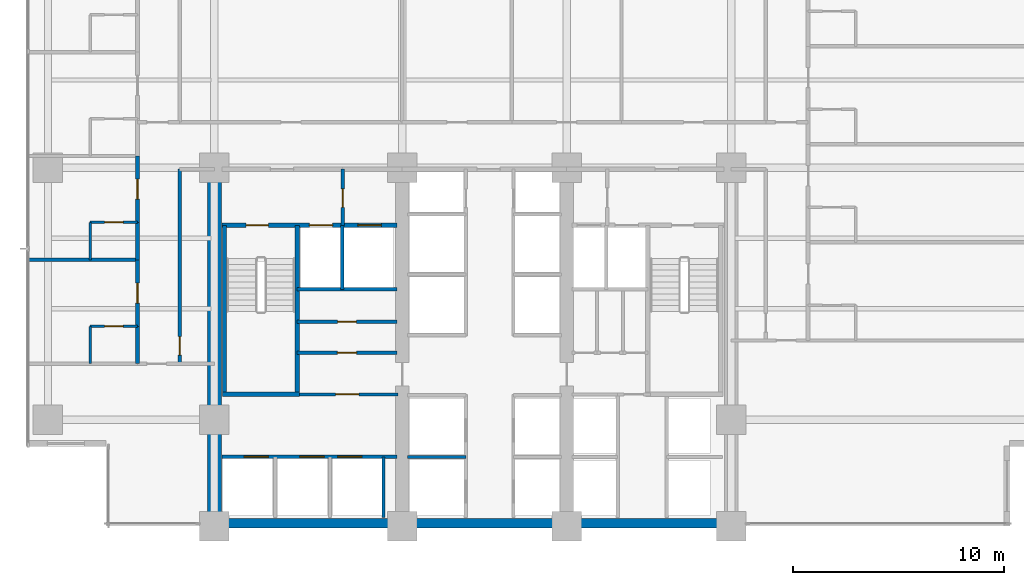
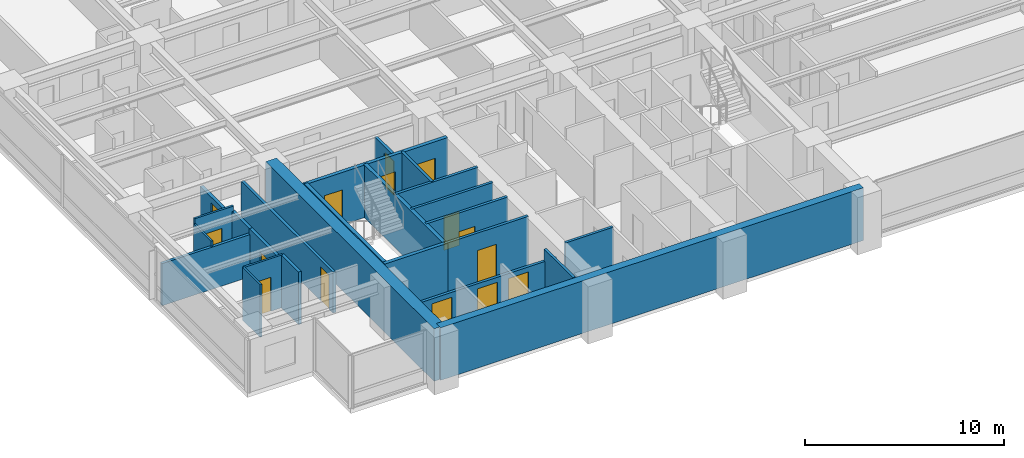
# One storey, part 7 of 18: 25 walls, 15 doors, 15 openings.
"""IFC4 building model written with IfcOpenShell, lengths in metres."""

from ifc_helpers import new_model, si_unit, direction, frame, frame_2d, origin, place, context, subcontext, project, spatial, rectangle, extrude, material, layer, layer_set, type_object, element, fill, save


model = new_model("IFC4")

# Units and contexts
model_context = context("Model", 3, precision=1e-05, world=origin(), true_north=direction((0.0, 1.0)))
body_context = subcontext(model_context, "Body", "Model", "MODEL_VIEW")
ifc_project = project(units=[si_unit("LENGTHUNIT", "METRE"), si_unit("AREAUNIT", "SQUARE_METRE"), si_unit("VOLUMEUNIT", "CUBIC_METRE"), si_unit("PLANEANGLEUNIT", "RADIAN"), si_unit("MASSUNIT", "GRAM", prefix="KILO")], contexts=[model_context])

# Site, building, storey
site_placement = place(None, origin())
site = spatial("IfcSite", under=ifc_project, at=site_placement, CompositionType="ELEMENT")
building_placement = place(site_placement, origin())
building = spatial("IfcBuilding", under=site, at=building_placement, Name="Qalmaran Belvedere Hotel", CompositionType="ELEMENT")
storey_placement = place(building_placement, frame((0.0, 0.0, 54.39990234375)))
storey = spatial("IfcBuildingStorey", under=building, at=storey_placement, Name="L13", CompositionType="ELEMENT", Elevation=54.39990234375)

# Walls
ifc_material_1 = material(Name="Concrete C60/75", Category="concrete")
ifc_layer_1 = layer(ifc_material_1, 0.64990234375, Name="Concrete C60/75")
ifc_layer_set_1 = layer_set([ifc_layer_1], Name="Concrete C60/75")
wall_type_1 = type_object("IfcWallType", Name="WL-CORE-650-C60", PredefinedType="SHEAR", material=ifc_layer_set_1)
wall_1_placement = place(storey_placement, frame((20.300048828125, 3.5, 0.0), z_axis=(0.0, 0.0, 1.0), x_axis=(0.0, 1.0, 0.0)))
element("IfcWall", 1, at=wall_1_placement, inside=storey, type_object=wall_type_1, Name="L13 West Core Shear Wall", PredefinedType="SHEAR", context=body_context, shape_type="SweptSolid", body=[
    extrude(rectangle(XDim=16.89990234375, YDim=0.64990234375, at=frame_2d((8.449951171875, 0.0))), origin(), (0.0, 0.0, 1.0), 3.22021484375),
])
ifc_material_2 = material(Name="Concrete C50/60", Category="concrete")
ifc_layer_2 = layer(ifc_material_2, 0.43994140625, Name="Concrete C50/60")
ifc_layer_set_2 = layer_set([ifc_layer_2], Name="Concrete C50/60")
wall_type_2 = type_object("IfcWallType", Name="WL-CORES-440-EXT", PredefinedType="SHEAR", material=ifc_layer_set_2)
wall_2_placement = place(storey_placement, frame((20.300048828125, 3.6298828125, 0.0), z_axis=(0.0, 0.0, 1.0), x_axis=(1.0, 0.0, 0.0)))
element("IfcWall", 2, at=wall_2_placement, inside=storey, type_object=wall_type_2, Name="L13 South Core Shear Wall", PredefinedType="SHEAR", context=body_context, shape_type="SweptSolid", body=[
    extrude(rectangle(XDim=24.5, YDim=0.43994140625, at=frame_2d((12.25, 0.0))), origin(), (0.0, 0.0, 1.0), 3.22021484375),
])

# Wall, opening, door
ifc_material_3 = material(Name="Moisture-Resistant Gypsum")
ifc_layer_3 = layer(ifc_material_3, 0.1201171875, Name="Moisture-Resistant Gypsum")
ifc_layer_set_3 = layer_set([ifc_layer_3], Name="Moisture-Resistant Gypsum")
wall_type_3 = type_object("IfcWallType", Name="WL-INT-120-BATH", PredefinedType="PARTITIONING", material=ifc_layer_set_3)
wall_3_placement = place(storey_placement, frame((14.39990234375, 12.969970703125, 0.0), z_axis=(0.0, 0.0, 1.0), x_axis=(1.0, 0.0, 0.0)))
wall_3 = element("IfcWall", 3, at=wall_3_placement, inside=storey, type_object=wall_type_3, Name="L13 Partition WL-L13-WBN00", PredefinedType="PARTITIONING", context=body_context, shape_type="SweptSolid", body=[
    extrude(rectangle(XDim=2.25, YDim=0.1201171875, at=frame_2d((1.125, 0.0))), origin(), (0.0, 0.0, 1.0), 3.22021484375),
])
opening_1_placement = place(wall_3_placement, frame((1.56494140625, 0.0, 0.0), z_axis=(0.0, 0.0, 1.0), x_axis=(-1.0, 0.0, 0.0)))
opening_1 = element("IfcOpeningElement", 4, at=opening_1_placement, cuts=wall_3, Name="Opening D-BATH", PredefinedType="OPENING", context=body_context, shape_type="SweptSolid", body=[
    extrude(rectangle(XDim=0.8798828125, YDim=2.080078125, at=frame_2d((0.43994140625, 1.0400390625))), frame((0.0, 0.070068359375, 0.0), z_axis=(0.0, -1.0, 0.0), x_axis=(1.0, 0.0, 0.0)), (0.0, 0.0, 1.0), 0.14013671875),
])
ifc_material_4 = material(Name="Engineered Oak Veneer")
door_type_1 = type_object("IfcDoorType", Name="DR-INT-BATH-880X2080", OperationType="NOTDEFINED", PredefinedType="DOOR", material=ifc_material_4)
door_1_placement = place(opening_1_placement, origin())
door_1 = element("IfcDoor", 5, at=door_1_placement, inside=storey, type_object=door_type_1, Name="L13 W Ensuite Door 01", OperationType="SINGLE_SWING_LEFT", OverallHeight=2.080078125, OverallWidth=0.8798828125, PredefinedType="DOOR", context=body_context, shape_type="SweptSolid", body=[
    extrude(rectangle(XDim=0.8798828125, YDim=2.080078125, at=frame_2d((0.43994140625, 1.0400390625))), frame((0.0, 0.02490234375, 0.0), z_axis=(0.0, -1.0, 0.0), x_axis=(1.0, 0.0, 0.0)), (0.0, 0.0, 1.0), 0.050048828125),
])
fill(opening_1, door_1)

# Wall
wall_4_placement = place(storey_placement, frame((14.39990234375, 11.199951171875, 0.0), z_axis=(0.0, 0.0, 1.0), x_axis=(0.0, 1.0, 0.0)))
element("IfcWall", 6, at=wall_4_placement, inside=storey, type_object=wall_type_3, Name="L13 Partition WL-L13-WBS00", PredefinedType="PARTITIONING", context=body_context, shape_type="SweptSolid", body=[
    extrude(rectangle(XDim=1.77001953125, YDim=0.1201171875, at=frame_2d((0.885009765625, 0.0))), origin(), (0.0, 0.0, 1.0), 3.22021484375),
])

# Wall, opening, door
wall_5_placement = place(storey_placement, frame((14.39990234375, 17.89501953125, 0.0), z_axis=(0.0, 0.0, 1.0), x_axis=(1.0, 0.0, 0.0)))
wall_5 = element("IfcWall", 7, at=wall_5_placement, inside=storey, type_object=wall_type_3, Name="L13 Partition WL-L13-WBN01", PredefinedType="PARTITIONING", context=body_context, shape_type="SweptSolid", body=[
    extrude(rectangle(XDim=2.25, YDim=0.1201171875, at=frame_2d((1.125, 0.0))), origin(), (0.0, 0.0, 1.0), 3.22021484375),
])
opening_2_placement = place(wall_5_placement, frame((1.56494140625, 0.0, 0.0), z_axis=(0.0, 0.0, 1.0), x_axis=(-1.0, 0.0, 0.0)))
opening_2 = element("IfcOpeningElement", 8, at=opening_2_placement, cuts=wall_5, Name="Opening D-BATH", PredefinedType="OPENING", context=body_context, shape_type="SweptSolid", body=[
    extrude(rectangle(XDim=0.8798828125, YDim=2.080078125, at=frame_2d((0.43994140625, 1.0400390625))), frame((0.0, 0.070068359375, 0.0), z_axis=(0.0, -1.0, 0.0), x_axis=(1.0, 0.0, 0.0)), (0.0, 0.0, 1.0), 0.14013671875),
])
door_2_placement = place(opening_2_placement, origin())
door_2 = element("IfcDoor", 9, at=door_2_placement, inside=storey, type_object=door_type_1, Name="L13 W Ensuite Door 02", OperationType="SINGLE_SWING_LEFT", OverallHeight=2.080078125, OverallWidth=0.8798828125, PredefinedType="DOOR", context=body_context, shape_type="SweptSolid", body=[
    extrude(rectangle(XDim=0.8798828125, YDim=2.080078125, at=frame_2d((0.43994140625, 1.0400390625))), frame((0.0, 0.02490234375, 0.0), z_axis=(0.0, -1.0, 0.0), x_axis=(1.0, 0.0, 0.0)), (0.0, 0.0, 1.0), 0.050048828125),
])
fill(opening_2, door_2)

# Walls
wall_6_placement = place(storey_placement, frame((14.39990234375, 16.125, 0.0), z_axis=(0.0, 0.0, 1.0), x_axis=(0.0, 1.0, 0.0)))
element("IfcWall", 10, at=wall_6_placement, inside=storey, type_object=wall_type_3, Name="L13 Partition WL-L13-WBS01", PredefinedType="PARTITIONING", context=body_context, shape_type="SweptSolid", body=[
    extrude(rectangle(XDim=1.77001953125, YDim=0.1201171875, at=frame_2d((0.885009765625, 0.0))), origin(), (0.0, 0.0, 1.0), 2.902099609375),
])
ifc_material_5 = material(Name="Gypsum Stud Partition")
ifc_layer_4 = layer(ifc_material_5, 0.14990234375, Name="Gypsum Stud Partition")
ifc_layer_set_4 = layer_set([ifc_layer_4], Name="Gypsum Stud Partition")
wall_type_4 = type_object("IfcWallType", Name="WL-INT-150-EI120", PredefinedType="PARTITIONING", material=ifc_layer_set_4)
wall_7_placement = place(storey_placement, frame((26.360107421875, 14.719970703125, 0.0), z_axis=(0.0, 0.0, 1.0), x_axis=(0.0, 1.0, 0.0)))
element("IfcWall", 11, at=wall_7_placement, inside=storey, type_object=wall_type_4, Name="L13 Partition WL-FF1M-L13", PredefinedType="PARTITIONING", context=body_context, shape_type="SweptSolid", body=[
    extrude(rectangle(XDim=3.0400390625, YDim=0.14990234375, at=frame_2d((1.52001953125, 0.0))), origin(), (0.0, 0.0, 1.0), 3.22021484375),
])
wall_8_placement = place(storey_placement, frame((28.320068359375, 3.89990234375, 0.0), z_axis=(0.0, 0.0, 1.0), x_axis=(0.0, 1.0, 0.0)))
element("IfcWall", 12, at=wall_8_placement, inside=storey, type_object=wall_type_4, Name="L13 Partition WL-POM3-L13", PredefinedType="PARTITIONING", context=body_context, shape_type="SweptSolid", body=[
    extrude(rectangle(XDim=2.880126953125, YDim=0.14990234375, at=frame_2d((1.43994140625, 0.0))), origin(), (0.0, 0.0, 1.0), 3.22021484375),
])
wall_9_placement = place(storey_placement, frame((29.449951171875, 6.780029296875, 0.0), z_axis=(0.0, 0.0, 1.0), x_axis=(1.0, 0.0, 0.0)))
element("IfcWall", 13, at=wall_9_placement, inside=storey, type_object=wall_type_4, Name="L13 Partition WL-PLW-L13-67", PredefinedType="PARTITIONING", context=body_context, shape_type="SweptSolid", body=[
    extrude(rectangle(XDim=2.77001953125, YDim=0.14990234375, at=frame_2d((1.385009765625, 0.0))), origin(), (0.0, 0.0, 1.0), 3.22021484375),
])

# Wall, opening, door
ifc_layer_5 = layer(ifc_material_5, 0.14990234375, Name="Gypsum Stud Partition")
ifc_layer_set_5 = layer_set([ifc_layer_5], Name="Gypsum Stud Partition")
wall_type_5 = type_object("IfcWallType", Name="WL-INT-150-EI60", PredefinedType="PARTITIONING", material=ifc_layer_set_5)
wall_10_placement = place(storey_placement, frame((24.219970703125, 13.18505859375, 0.0), z_axis=(0.0, 0.0, 1.0), x_axis=(1.0, 0.0, 0.0)))
wall_10 = element("IfcWall", 14, at=wall_10_placement, inside=storey, type_object=wall_type_5, Name="L13 Partition WL-L13-KWHM", PredefinedType="PARTITIONING", context=body_context, shape_type="SweptSolid", body=[
    extrude(rectangle(XDim=4.72998046875, YDim=0.14990234375, at=frame_2d((2.364990234375, 0.0))), origin(), (0.0, 0.0, 1.0), 3.22021484375),
])
opening_3_placement = place(wall_10_placement, frame((1.925048828125, 0.0, 0.0)))
opening_3 = element("IfcOpeningElement", 15, at=opening_3_placement, cuts=wall_10, Name="Opening FD60B", PredefinedType="OPENING", context=body_context, shape_type="SweptSolid", body=[
    extrude(rectangle(XDim=0.8798828125, YDim=2.080078125, at=frame_2d((0.43994140625, 1.0400390625))), frame((0.0, 0.0849609375, 0.0), z_axis=(0.0, -1.0, 0.0), x_axis=(1.0, 0.0, 0.0)), (0.0, 0.0, 1.0), 0.169921875),
])
ifc_material_6 = material(Name="Steel S355JR", Category="steel")
door_type_2 = type_object("IfcDoorType", Name="DR-FD60B-880X2080", OperationType="NOTDEFINED", PredefinedType="DOOR", material=ifc_material_6)
door_3_placement = place(opening_3_placement, origin())
door_3 = element("IfcDoor", 16, at=door_3_placement, inside=storey, type_object=door_type_2, Name="L13 Staff Core WC Door", OperationType="SINGLE_SWING_LEFT", OverallHeight=2.080078125, OverallWidth=0.8798828125, PredefinedType="DOOR", context=body_context, shape_type="SweptSolid", body=[
    extrude(rectangle(XDim=0.8798828125, YDim=2.080078125, at=frame_2d((0.43994140625, 1.0400390625))), frame((0.0, 0.02490234375, 0.0), z_axis=(0.0, -1.0, 0.0), x_axis=(1.0, 0.0, 0.0)), (0.0, 0.0, 1.0), 0.050048828125),
])
fill(opening_3, door_3)

ifc_layer_6 = layer(ifc_material_5, 0.159912109375, Name="Gypsum Stud Partition")
ifc_layer_set_6 = layer_set([ifc_layer_6], Name="Gypsum Stud Partition")
wall_type_6 = type_object("IfcWallType", Name="WL-INT-160-EI120", PredefinedType="PARTITIONING", material=ifc_layer_set_6)
wall_11_placement = place(storey_placement, frame((26.3798828125, 17.760009765625, 0.0), z_axis=(0.0, 0.0, 1.0), x_axis=(0.0, 1.0, 0.0)))
wall_11 = element("IfcWall", 17, at=wall_11_placement, inside=storey, type_object=wall_type_6, Name="L13 Partition WL-FFSV1-L13", PredefinedType="PARTITIONING", context=body_context, shape_type="SweptSolid", body=[
    extrude(rectangle(XDim=2.659912109375, YDim=0.159912109375, at=frame_2d((1.330078125, 0.0))), origin(), (0.0, 0.0, 1.0), 2.510009765625),
])
opening_4_placement = place(wall_11_placement, frame((0.85009765625, 0.0, 0.0)))
opening_4 = element("IfcOpeningElement", 18, at=opening_4_placement, cuts=wall_11, Name="Opening FD60B", PredefinedType="OPENING", context=body_context, shape_type="SweptSolid", body=[
    extrude(rectangle(XDim=0.8798828125, YDim=2.080078125, at=frame_2d((0.43994140625, 1.0400390625))), frame((0.0, 0.08984375, 0.0), z_axis=(0.0, -1.0, 0.0), x_axis=(1.0, 0.0, 0.0)), (0.0, 0.0, 1.0), 0.179931640625),
])
door_4_placement = place(opening_4_placement, origin())
door_4 = element("IfcDoor", 19, at=door_4_placement, inside=storey, type_object=door_type_2, Name="L13 Service Lobby West Door", OperationType="SINGLE_SWING_LEFT", OverallHeight=2.080078125, OverallWidth=0.8798828125, PredefinedType="DOOR", context=body_context, shape_type="SweptSolid", body=[
    extrude(rectangle(XDim=0.8798828125, YDim=2.080078125, at=frame_2d((0.43994140625, 1.0400390625))), frame((0.0, 0.02490234375, 0.0), z_axis=(0.0, -1.0, 0.0), x_axis=(1.0, 0.0, 0.0)), (0.0, 0.0, 1.0), 0.050048828125),
])
fill(opening_4, door_4)

# Wall
wall_12_placement = place(storey_placement, frame((24.219970703125, 14.719970703125, 0.0), z_axis=(0.0, 0.0, 1.0), x_axis=(1.0, 0.0, 0.0)))
element("IfcWall", 20, at=wall_12_placement, inside=storey, type_object=wall_type_6, Name="L13 Partition WL-FF1S-L13", PredefinedType="PARTITIONING", context=body_context, shape_type="SweptSolid", body=[
    extrude(rectangle(XDim=4.72998046875, YDim=0.159912109375, at=frame_2d((2.364990234375, 0.0))), origin(), (0.0, 0.0, 1.0), 3.22021484375),
])

# Wall, openings, doors
wall_13_placement = place(storey_placement, frame((20.64990234375, 6.780029296875, 0.0), z_axis=(0.0, 0.0, 1.0), x_axis=(1.0, 0.0, 0.0)))
wall_13 = element("IfcWall", 21, at=wall_13_placement, inside=storey, type_object=wall_type_6, Name="L13 Partition WL-POS-L13", PredefinedType="PARTITIONING", context=body_context, shape_type="SweptSolid", body=[
    extrude(rectangle(XDim=8.300048828125, YDim=0.159912109375, at=frame_2d((4.14990234375, 0.0))), origin(), (0.0, 0.0, 1.0), 2.510009765625),
])
opening_5_placement = place(wall_13_placement, frame((3.69482421875, 0.0, 0.0)))
opening_5 = element("IfcOpeningElement", 22, at=opening_5_placement, cuts=wall_13, Name="Opening LD-PO", PredefinedType="OPENING", context=body_context, shape_type="SweptSolid", body=[
    extrude(rectangle(XDim=1.14990234375, YDim=2.199951171875, at=frame_2d((0.574951171875, 1.10009765625))), frame((0.0, 0.08984375, 0.0), z_axis=(0.0, -1.0, 0.0), x_axis=(1.0, 0.0, 0.0)), (0.0, 0.0, 1.0), 0.179931640625),
])
opening_6_placement = place(wall_13_placement, frame((5.4921875, 0.0, 0.0)))
opening_6 = element("IfcOpeningElement", 23, at=opening_6_placement, cuts=wall_13, Name="Opening LD-PO", PredefinedType="OPENING", context=body_context, shape_type="SweptSolid", body=[
    extrude(rectangle(XDim=1.14990234375, YDim=2.199951171875, at=frame_2d((0.574951171875, 1.10009765625))), frame((0.0, 0.08984375, 0.0), z_axis=(0.0, -1.0, 0.0), x_axis=(1.0, 0.0, 0.0)), (0.0, 0.0, 1.0), 0.179931640625),
])
opening_7_placement = place(wall_13_placement, frame((1.058837890625, 0.0, 0.0)))
opening_7 = element("IfcOpeningElement", 24, at=opening_7_placement, cuts=wall_13, Name="Opening LD-PO", PredefinedType="OPENING", context=body_context, shape_type="SweptSolid", body=[
    extrude(rectangle(XDim=1.14990234375, YDim=2.199951171875, at=frame_2d((0.574951171875, 1.10009765625))), frame((0.0, 0.08984375, 0.0), z_axis=(0.0, -1.0, 0.0), x_axis=(1.0, 0.0, 0.0)), (0.0, 0.0, 1.0), 0.179931640625),
])
ifc_material_7 = material(Name="Anodised Bronze Aluminium", Category="aluminium")
door_type_3 = type_object("IfcDoorType", Name="DR-LIFT-PO-1150X2200", OperationType="DOUBLE_DOOR_SLIDING", PredefinedType="DOOR", material=ifc_material_7)
door_5_placement = place(opening_5_placement, origin())
door_5 = element("IfcDoor", 25, at=door_5_placement, inside=storey, type_object=door_type_3, Name="L13 PO1 Shuttle Landing Door", OperationType="DOUBLE_DOOR_SLIDING", OverallHeight=2.199951171875, OverallWidth=1.14990234375, PredefinedType="DOOR", context=body_context, shape_type="SweptSolid", body=[
    extrude(rectangle(XDim=1.14990234375, YDim=2.199951171875, at=frame_2d((0.574951171875, 1.10009765625))), frame((0.0, 0.02490234375, 0.0), z_axis=(0.0, -1.0, 0.0), x_axis=(1.0, 0.0, 0.0)), (0.0, 0.0, 1.0), 0.050048828125),
])
fill(opening_5, door_5)
door_6_placement = place(opening_6_placement, origin())
door_6 = element("IfcDoor", 26, at=door_6_placement, inside=storey, type_object=door_type_3, Name="L13 PO2 Shuttle Landing Door", OperationType="DOUBLE_DOOR_SLIDING", OverallHeight=2.199951171875, OverallWidth=1.14990234375, PredefinedType="DOOR", context=body_context, shape_type="SweptSolid", body=[
    extrude(rectangle(XDim=1.14990234375, YDim=2.199951171875, at=frame_2d((0.574951171875, 1.10009765625))), frame((0.0, 0.02490234375, 0.0), z_axis=(0.0, -1.0, 0.0), x_axis=(1.0, 0.0, 0.0)), (0.0, 0.0, 1.0), 0.050048828125),
])
fill(opening_6, door_6)
door_7_placement = place(opening_7_placement, origin())
door_7 = element("IfcDoor", 27, at=door_7_placement, inside=storey, type_object=door_type_3, Name="L13 PO3 Shuttle Landing Door", OperationType="DOUBLE_DOOR_SLIDING", OverallHeight=2.199951171875, OverallWidth=1.14990234375, PredefinedType="DOOR", context=body_context, shape_type="SweptSolid", body=[
    extrude(rectangle(XDim=1.14990234375, YDim=2.199951171875, at=frame_2d((0.574951171875, 1.10009765625))), frame((0.0, 0.02490234375, 0.0), z_axis=(0.0, -1.0, 0.0), x_axis=(1.0, 0.0, 0.0)), (0.0, 0.0, 1.0), 0.050048828125),
])
fill(opening_7, door_7)

# Wall, opening, door
wall_14_placement = place(storey_placement, frame((24.199951171875, 9.739990234375, 0.0), z_axis=(0.0, 0.0, 1.0), x_axis=(1.0, 0.0, 0.0)))
wall_14 = element("IfcWall", 28, at=wall_14_placement, inside=storey, type_object=wall_type_6, Name="L13 Partition WL-PON-L13", PredefinedType="PARTITIONING", context=body_context, shape_type="SweptSolid", body=[
    extrude(rectangle(XDim=4.800048828125, YDim=0.159912109375, at=frame_2d((2.39990234375, 0.0))), origin(), (0.0, 0.0, 1.0), 3.22021484375),
])
opening_8_placement = place(wall_14_placement, frame((1.85009765625, 0.0, 0.0)))
opening_8 = element("IfcOpeningElement", 29, at=opening_8_placement, cuts=wall_14, Name="Opening FD90", PredefinedType="OPENING", context=body_context, shape_type="SweptSolid", body=[
    extrude(rectangle(XDim=1.10009765625, YDim=2.14990234375, at=frame_2d((0.550048828125, 1.074951171875))), frame((0.0, 0.08984375, 0.0), z_axis=(0.0, -1.0, 0.0), x_axis=(1.0, 0.0, 0.0)), (0.0, 0.0, 1.0), 0.179931640625),
])
door_type_4 = type_object("IfcDoorType", Name="DR-FD90-1100X2150", OperationType="NOTDEFINED", PredefinedType="DOOR", material=ifc_material_6)
door_8_placement = place(opening_8_placement, origin())
door_8 = element("IfcDoor", 30, at=door_8_placement, inside=storey, type_object=door_type_4, Name="L13 Shuttle Lobby Passage Door", OperationType="SINGLE_SWING_LEFT", OverallHeight=2.14990234375, OverallWidth=1.10009765625, PredefinedType="DOOR", context=body_context, shape_type="SweptSolid", body=[
    extrude(rectangle(XDim=1.10009765625, YDim=2.14990234375, at=frame_2d((0.550048828125, 1.074951171875))), frame((0.0, 0.02490234375, 0.0), z_axis=(0.0, -1.0, 0.0), x_axis=(1.0, 0.0, 0.0)), (0.0, 0.0, 1.0), 0.050048828125),
])
fill(opening_8, door_8)

ifc_layer_7 = layer(ifc_material_5, 0.159912109375, Name="Gypsum Stud Partition")
ifc_layer_set_7 = layer_set([ifc_layer_7], Name="Gypsum Stud Partition")
wall_type_7 = type_object("IfcWallType", Name="WL-INT-160-EI60", PredefinedType="PARTITIONING", material=ifc_layer_set_7)
wall_15_placement = place(storey_placement, frame((24.219970703125, 11.719970703125, 0.0), z_axis=(0.0, 0.0, 1.0), x_axis=(1.0, 0.0, 0.0)))
wall_15 = element("IfcWall", 31, at=wall_15_placement, inside=storey, type_object=wall_type_7, Name="L13 Partition WL-L13-KWE1", PredefinedType="PARTITIONING", context=body_context, shape_type="SweptSolid", body=[
    extrude(rectangle(XDim=4.72998046875, YDim=0.159912109375, at=frame_2d((2.364990234375, 0.0))), origin(), (0.0, 0.0, 1.0), 3.22021484375),
])
opening_9_placement = place(wall_15_placement, frame((1.905029296875, 0.0, 0.0)))
opening_9 = element("IfcOpeningElement", 32, at=opening_9_placement, cuts=wall_15, Name="Opening FD60S1", PredefinedType="OPENING", context=body_context, shape_type="SweptSolid", body=[
    extrude(rectangle(XDim=0.919921875, YDim=2.080078125, at=frame_2d((0.4599609375, 1.0400390625))), frame((0.0, 0.08984375, 0.0), z_axis=(0.0, -1.0, 0.0), x_axis=(1.0, 0.0, 0.0)), (0.0, 0.0, 1.0), 0.179931640625),
])
door_type_5 = type_object("IfcDoorType", Name="DR-FD60S-920X2080", OperationType="NOTDEFINED", PredefinedType="DOOR", material=ifc_material_4)
door_9_placement = place(opening_9_placement, origin())
door_9 = element("IfcDoor", 33, at=door_9_placement, inside=storey, type_object=door_type_5, Name="L13 Cleaner Supply Store Door", OperationType="SINGLE_SWING_RIGHT", OverallHeight=2.080078125, OverallWidth=0.919921875, PredefinedType="DOOR", context=body_context, shape_type="SweptSolid", body=[
    extrude(rectangle(XDim=0.919921875, YDim=2.080078125, at=frame_2d((0.4599609375, 1.0400390625))), frame((0.0, 0.02490234375, 0.0), z_axis=(0.0, -1.0, 0.0), x_axis=(1.0, 0.0, 0.0)), (0.0, 0.0, 1.0), 0.050048828125),
])
fill(opening_9, door_9)

wall_16_placement = place(storey_placement, frame((18.64990234375, 11.199951171875, 0.0), z_axis=(0.0, 0.0, 1.0), x_axis=(0.0, 1.0, 0.0)))
wall_16 = element("IfcWall", 34, at=wall_16_placement, inside=storey, type_object=wall_type_7, Name="L13 Partition WL-L13-WCL", PredefinedType="PARTITIONING", context=body_context, shape_type="SweptSolid", body=[
    extrude(rectangle(XDim=9.219970703125, YDim=0.159912109375, at=frame_2d((4.60986328125, 0.0))), origin(), (0.0, 0.0, 1.0), 2.510009765625),
])
opening_10_placement = place(wall_16_placement, frame((1.27978515625, 0.0, 0.0), z_axis=(0.0, 0.0, 1.0), x_axis=(-1.0, 0.0, 0.0)))
opening_10 = element("IfcOpeningElement", 35, at=opening_10_placement, cuts=wall_16, Name="Opening FD60B", PredefinedType="OPENING", context=body_context, shape_type="SweptSolid", body=[
    extrude(rectangle(XDim=0.8798828125, YDim=2.080078125, at=frame_2d((0.43994140625, 1.0400390625))), frame((0.0, 0.08984375, 0.0), z_axis=(0.0, -1.0, 0.0), x_axis=(1.0, 0.0, 0.0)), (0.0, 0.0, 1.0), 0.179931640625),
])
door_10_placement = place(opening_10_placement, origin())
door_10 = element("IfcDoor", 36, at=door_10_placement, inside=storey, type_object=door_type_2, Name="L13 West Closet Door", OperationType="SINGLE_SWING_LEFT", OverallHeight=2.080078125, OverallWidth=0.8798828125, PredefinedType="DOOR", context=body_context, shape_type="SweptSolid", body=[
    extrude(rectangle(XDim=0.8798828125, YDim=2.080078125, at=frame_2d((0.43994140625, 1.0400390625))), frame((0.0, 0.02490234375, 0.0), z_axis=(0.0, -1.0, 0.0), x_axis=(1.0, 0.0, 0.0)), (0.0, 0.0, 1.0), 0.050048828125),
])
fill(opening_10, door_10)

# Walls
wall_17_placement = place(storey_placement, frame((11.469970703125, 16.125, 0.0), z_axis=(0.0, 0.0, 1.0), x_axis=(1.0, 0.0, 0.0)))
element("IfcWall", 37, at=wall_17_placement, inside=storey, type_object=wall_type_7, Name="L13 Partition WL-L13-WU00", PredefinedType="PARTITIONING", context=body_context, shape_type="SweptSolid", body=[
    extrude(rectangle(XDim=5.179931640625, YDim=0.159912109375, at=frame_2d((2.58984375, 0.0))), origin(), (0.0, 0.0, 1.0), 2.5830078125),
])
ifc_layer_8 = layer(ifc_material_5, 0.179931640625, Name="Gypsum Stud Partition")
ifc_layer_set_8 = layer_set([ifc_layer_8], Name="Gypsum Stud Partition")
wall_type_8 = type_object("IfcWallType", Name="WL-INT-180-EI60", PredefinedType="PARTITIONING", material=ifc_layer_set_8)
wall_18_placement = place(storey_placement, frame((16.64990234375, 11.199951171875, 0.0), z_axis=(0.0, 0.0, 1.0), x_axis=(0.0, 1.0, 0.0)))
element("IfcWall", 38, at=wall_18_placement, inside=storey, type_object=wall_type_8, Name="L13 Partition WL-L13-WBC00", PredefinedType="PARTITIONING", context=body_context, shape_type="SweptSolid", body=[
    extrude(rectangle(XDim=1.77001953125, YDim=0.179931640625, at=frame_2d((0.885009765625, 0.0))), origin(), (0.0, 0.0, 1.0), 3.22021484375),
])

# Wall, opening, door
wall_19_placement = place(storey_placement, frame((16.64990234375, 12.969970703125, 0.0), z_axis=(0.0, 0.0, 1.0), x_axis=(0.0, 1.0, 0.0)))
wall_19 = element("IfcWall", 39, at=wall_19_placement, inside=storey, type_object=wall_type_8, Name="L13 Partition WL-L13-WEC00", PredefinedType="PARTITIONING", context=body_context, shape_type="SweptSolid", body=[
    extrude(rectangle(XDim=3.155029296875, YDim=0.179931640625, at=frame_2d((1.57763671875, 0.0))), origin(), (0.0, 0.0, 1.0), 2.902099609375),
])
opening_11_placement = place(wall_19_placement, frame((1.1025390625, 0.0, 0.0)))
opening_11 = element("IfcOpeningElement", 40, at=opening_11_placement, cuts=wall_19, Name="Opening FD60", PredefinedType="OPENING", context=body_context, shape_type="SweptSolid", body=[
    extrude(rectangle(XDim=0.949951171875, YDim=2.14990234375, at=frame_2d((0.47509765625, 1.074951171875))), frame((0.0, 0.10009765625, 0.0), z_axis=(0.0, -1.0, 0.0), x_axis=(1.0, 0.0, 0.0)), (0.0, 0.0, 1.0), 0.199951171875),
])
door_type_6 = type_object("IfcDoorType", Name="DR-FD60-950X2150", OperationType="NOTDEFINED", PredefinedType="DOOR", material=ifc_material_4)
door_11_placement = place(opening_11_placement, origin())
door_11 = element("IfcDoor", 41, at=door_11_placement, inside=storey, type_object=door_type_6, Name="L13 W Wing Door 01", OperationType="SINGLE_SWING_RIGHT", OverallHeight=2.14990234375, OverallWidth=0.949951171875, PredefinedType="DOOR", context=body_context, shape_type="SweptSolid", body=[
    extrude(rectangle(XDim=0.949951171875, YDim=2.14990234375, at=frame_2d((0.47509765625, 1.074951171875))), frame((0.0, 0.02490234375, 0.0), z_axis=(0.0, -1.0, 0.0), x_axis=(1.0, 0.0, 0.0)), (0.0, 0.0, 1.0), 0.050048828125),
])
fill(opening_11, door_11)

# Wall
wall_20_placement = place(storey_placement, frame((16.64990234375, 16.125, 0.0), z_axis=(0.0, 0.0, 1.0), x_axis=(0.0, 1.0, 0.0)))
element("IfcWall", 42, at=wall_20_placement, inside=storey, type_object=wall_type_8, Name="L13 Partition WL-L13-WBC01", PredefinedType="PARTITIONING", context=body_context, shape_type="SweptSolid", body=[
    extrude(rectangle(XDim=1.77001953125, YDim=0.179931640625, at=frame_2d((0.885009765625, 0.0))), origin(), (0.0, 0.0, 1.0), 2.902099609375),
])

# Wall, opening, door
wall_21_placement = place(storey_placement, frame((16.64990234375, 17.89501953125, 0.0), z_axis=(0.0, 0.0, 1.0), x_axis=(0.0, 1.0, 0.0)))
wall_21 = element("IfcWall", 43, at=wall_21_placement, inside=storey, type_object=wall_type_8, Name="L13 Partition WL-L13-WEC01", PredefinedType="PARTITIONING", context=body_context, shape_type="SweptSolid", body=[
    extrude(rectangle(XDim=3.155029296875, YDim=0.179931640625, at=frame_2d((1.57763671875, 0.0))), origin(), (0.0, 0.0, 1.0), 2.510009765625),
])
opening_12_placement = place(wall_21_placement, frame((1.1025390625, 0.0, 0.0)))
opening_12 = element("IfcOpeningElement", 44, at=opening_12_placement, cuts=wall_21, Name="Opening FD60", PredefinedType="OPENING", context=body_context, shape_type="SweptSolid", body=[
    extrude(rectangle(XDim=0.949951171875, YDim=2.14990234375, at=frame_2d((0.47509765625, 1.074951171875))), frame((0.0, 0.10009765625, 0.0), z_axis=(0.0, -1.0, 0.0), x_axis=(1.0, 0.0, 0.0)), (0.0, 0.0, 1.0), 0.199951171875),
])
door_12_placement = place(opening_12_placement, origin())
door_12 = element("IfcDoor", 45, at=door_12_placement, inside=storey, type_object=door_type_6, Name="L13 W Wing Door 02", OperationType="SINGLE_SWING_RIGHT", OverallHeight=2.14990234375, OverallWidth=0.949951171875, PredefinedType="DOOR", context=body_context, shape_type="SweptSolid", body=[
    extrude(rectangle(XDim=0.949951171875, YDim=2.14990234375, at=frame_2d((0.47509765625, 1.074951171875))), frame((0.0, 0.02490234375, 0.0), z_axis=(0.0, -1.0, 0.0), x_axis=(1.0, 0.0, 0.0)), (0.0, 0.0, 1.0), 0.050048828125),
])
fill(opening_12, door_12)

# Walls
ifc_layer_9 = layer(ifc_material_2, 0.2099609375, Name="Concrete C50/60")
ifc_layer_set_9 = layer_set([ifc_layer_9], Name="Concrete C50/60")
wall_type_9 = type_object("IfcWallType", Name="WL-STAIR-210-C50", PredefinedType="SHEAR", material=ifc_layer_set_9)
for number, where, z_axis, x_axis, name in (
    (46, (20.77490234375, 9.7451171875, 0.0), (0.0, 0.0, 1.0), (0.0, 1.0, 0.0), "L13 Stair ST-1 West Bearing Wall"),
    (47, (24.22509765625, 9.7451171875, 0.0), (0.0, 0.0, 1.0), (0.0, 1.0, 0.0), "L13 Stair ST-1 East Bearing Wall"),
):
    element("IfcWall", number, at=place(storey_placement, frame(where, z_axis=z_axis, x_axis=x_axis)), inside=storey, type_object=wall_type_9, Name=name, PredefinedType="SHEAR", context=body_context, shape_type="SweptSolid", body=[
        extrude(rectangle(XDim=8.009765625, YDim=0.2099609375, at=frame_2d((4.0048828125, 0.0))), origin(), (0.0, 0.0, 1.0), 3.22021484375),
    ])
wall_22_placement = place(storey_placement, frame((20.669921875, 9.7451171875, 0.0), z_axis=(0.0, 0.0, 1.0), x_axis=(1.0, 0.0, 0.0)))
element("IfcWall", 48, at=wall_22_placement, inside=storey, type_object=wall_type_9, Name="L13 Stair ST-1 South Bearing Wall", PredefinedType="SHEAR", context=body_context, shape_type="SweptSolid", body=[
    extrude(rectangle(XDim=3.66015625, YDim=0.2099609375, at=frame_2d((1.830078125, 0.0))), origin(), (0.0, 0.0, 1.0), 3.22021484375),
])

# Wall, openings, doors
wall_23_placement = place(storey_placement, frame((20.64990234375, 17.7548828125, 0.0), z_axis=(0.0, 0.0, 1.0), x_axis=(1.0, 0.0, 0.0)))
wall_23 = element("IfcWall", 49, at=wall_23_placement, inside=storey, type_object=wall_type_9, Name="L13 West Lobby and Stair ST-1 North Bearing Wall", PredefinedType="SHEAR", context=body_context, shape_type="SweptSolid", body=[
    extrude(rectangle(XDim=8.300048828125, YDim=0.2099609375, at=frame_2d((4.14990234375, 0.0))), origin(), (0.0, 0.0, 1.0), 3.22021484375),
])
opening_13_placement = place(wall_23_placement, frame((2.199951171875, 0.0, 0.0), z_axis=(0.0, 0.0, 1.0), x_axis=(-1.0, 0.0, 0.0)))
opening_13 = element("IfcOpeningElement", 50, at=opening_13_placement, cuts=wall_23, Name="Opening FD90S2", PredefinedType="OPENING", context=body_context, shape_type="SweptSolid", body=[
    extrude(rectangle(XDim=1.050048828125, YDim=2.14990234375, at=frame_2d((0.52490234375, 1.074951171875))), frame((0.0, 0.114990234375, 0.0), z_axis=(0.0, -1.0, 0.0), x_axis=(1.0, 0.0, 0.0)), (0.0, 0.0, 1.0), 0.22998046875),
])
opening_14_placement = place(wall_23_placement, frame((4.14990234375, 0.0, 0.0)))
opening_14 = element("IfcOpeningElement", 51, at=opening_14_placement, cuts=wall_23, Name="Opening LD-FF", PredefinedType="OPENING", context=body_context, shape_type="SweptSolid", body=[
    extrude(rectangle(XDim=1.10009765625, YDim=2.179931640625, at=frame_2d((0.550048828125, 1.08984375))), frame((0.0, 0.114990234375, 0.0), z_axis=(0.0, -1.0, 0.0), x_axis=(1.0, 0.0, 0.0)), (0.0, 0.0, 1.0), 0.22998046875),
])
opening_15_placement = place(wall_23_placement, frame((6.449951171875, 0.0, 0.0)))
opening_15 = element("IfcOpeningElement", 52, at=opening_15_placement, cuts=wall_23, Name="Opening LD-SV", PredefinedType="OPENING", context=body_context, shape_type="SweptSolid", body=[
    extrude(rectangle(XDim=1.1201171875, YDim=2.199951171875, at=frame_2d((0.56005859375, 1.10009765625))), frame((0.0, 0.114990234375, 0.0), z_axis=(0.0, -1.0, 0.0), x_axis=(1.0, 0.0, 0.0)), (0.0, 0.0, 1.0), 0.22998046875),
])
door_type_7 = type_object("IfcDoorType", Name="DR-FD90S-1050X2150", OperationType="NOTDEFINED", PredefinedType="DOOR", material=ifc_material_6)
door_13_placement = place(opening_13_placement, origin())
door_13 = element("IfcDoor", 53, at=door_13_placement, inside=storey, type_object=door_type_7, Name="L13 Stair ST-1 Door", OperationType="SINGLE_SWING_LEFT", OverallHeight=2.14990234375, OverallWidth=1.050048828125, PredefinedType="DOOR", context=body_context, shape_type="SweptSolid", body=[
    extrude(rectangle(XDim=1.050048828125, YDim=2.14990234375, at=frame_2d((0.52490234375, 1.074951171875))), frame((0.0, 0.02490234375, 0.0), z_axis=(0.0, -1.0, 0.0), x_axis=(1.0, 0.0, 0.0)), (0.0, 0.0, 1.0), 0.050048828125),
])
fill(opening_13, door_13)
ifc_material_8 = material(Name="Stainless Steel 1.4401", Category="steel")
door_type_8 = type_object("IfcDoorType", Name="DR-LIFT-FF-1100X2180", OperationType="DOUBLE_DOOR_SLIDING", PredefinedType="DOOR", material=ifc_material_8)
door_14_placement = place(opening_14_placement, origin())
door_14 = element("IfcDoor", 54, at=door_14_placement, inside=storey, type_object=door_type_8, Name="L13 FF1 Lift Landing Door", OperationType="DOUBLE_DOOR_SLIDING", OverallHeight=2.179931640625, OverallWidth=1.10009765625, PredefinedType="DOOR", context=body_context, shape_type="SweptSolid", body=[
    extrude(rectangle(XDim=1.10009765625, YDim=2.179931640625, at=frame_2d((0.550048828125, 1.08984375))), frame((0.0, 0.02490234375, 0.0), z_axis=(0.0, -1.0, 0.0), x_axis=(1.0, 0.0, 0.0)), (0.0, 0.0, 1.0), 0.050048828125),
])
fill(opening_14, door_14)
door_type_9 = type_object("IfcDoorType", Name="DR-LIFT-SV-1120X2200", OperationType="DOUBLE_DOOR_SLIDING", PredefinedType="DOOR", material=ifc_material_8)
door_15_placement = place(opening_15_placement, origin())
door_15 = element("IfcDoor", 55, at=door_15_placement, inside=storey, type_object=door_type_9, Name="L13 SV1 Lift Landing Door", OperationType="DOUBLE_DOOR_SLIDING", OverallHeight=2.199951171875, OverallWidth=1.1201171875, PredefinedType="DOOR", context=body_context, shape_type="SweptSolid", body=[
    extrude(rectangle(XDim=1.1201171875, YDim=2.199951171875, at=frame_2d((0.56005859375, 1.10009765625))), frame((0.0, 0.02490234375, 0.0), z_axis=(0.0, -1.0, 0.0), x_axis=(1.0, 0.0, 0.0)), (0.0, 0.0, 1.0), 0.050048828125),
])
fill(opening_15, door_15)

save(model, "model.ifc")
